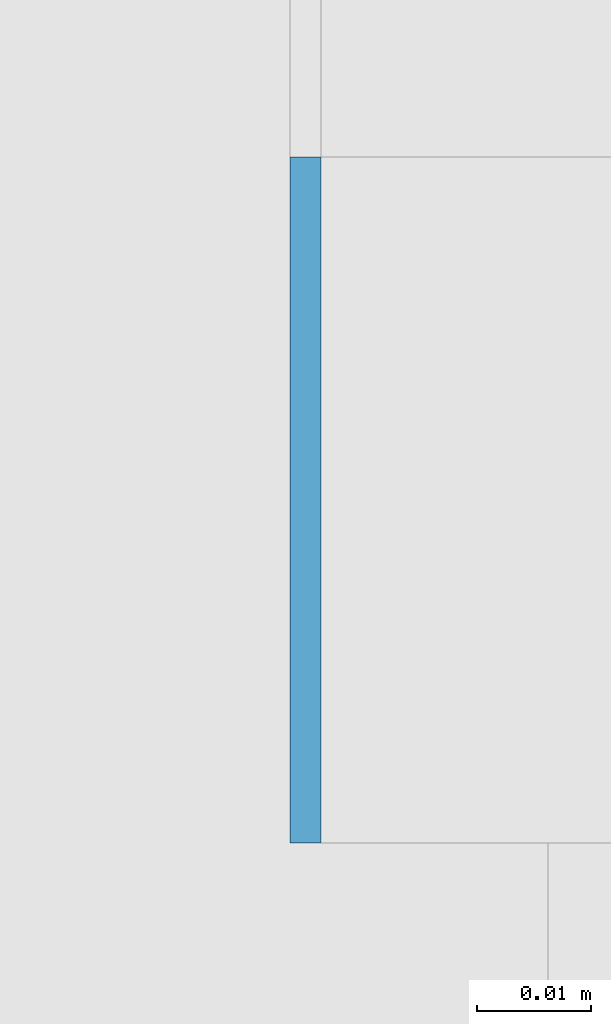
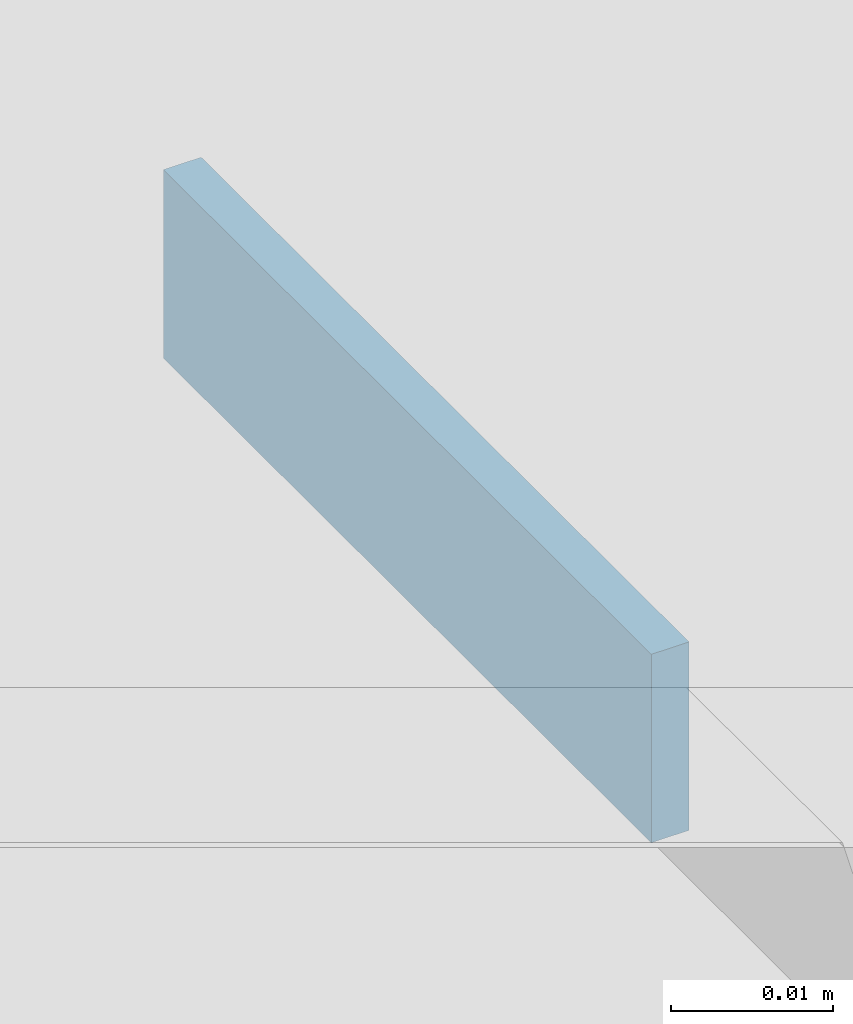
# One storey, part 475 of 646: 1 discrete accessory.
"""IFC4 building model written with IfcOpenShell, lengths in metres."""

from ifc_helpers import new_model, si_unit, direction, frame, origin, origin_2d, place, context, subcontext, project, spatial, rectangle, extrude, material, type_object, element, save


model = new_model("IFC4")

# Units and contexts
model_context = context("Model", 3, precision=1e-05, world=origin(), true_north=direction((0.0, 1.0)))
body_context = subcontext(model_context, "Body", "Model", "MODEL_VIEW")
ifc_project = project(units=[si_unit("LENGTHUNIT", "METRE"), si_unit("AREAUNIT", "SQUARE_METRE"), si_unit("VOLUMEUNIT", "CUBIC_METRE"), si_unit("PLANEANGLEUNIT", "RADIAN"), si_unit("MASSUNIT", "GRAM", prefix="KILO")], contexts=[model_context])

# Site, building, storey
site_placement = place(None, origin())
site = spatial("IfcSite", under=ifc_project, at=site_placement, CompositionType="ELEMENT")
building_placement = place(site_placement, origin())
building = spatial("IfcBuilding", under=site, at=building_placement, Name="Silverbay Arena", CompositionType="ELEMENT")
storey_placement = place(building_placement, frame((0.0, 0.0, 33.5)))
storey = spatial("IfcBuildingStorey", under=building, at=storey_placement, Name="L05", CompositionType="ELEMENT", Elevation=33.5)

# Discrete accessory
ifc_material = material(Name="Steel S355", Category="steel")
discrete_accessory_type = type_object("IfcDiscreteAccessoryType", Name="Steel bracket plate", PredefinedType="BRACKET", material=ifc_material)
discrete_accessory_placement = place(storey_placement, frame((207.128662109375, 53.969970703125, 12.98583984375), z_axis=(0.0, 0.0, 1.0), x_axis=(1.0, 0.0, 0.0)))
element("IfcDiscreteAccessory", 1, at=discrete_accessory_placement, inside=storey, type_object=discrete_accessory_type, Name="Curtain wall packing plate", PredefinedType="BRACKET", context=body_context, shape_type="SweptSolid", body=[
    extrude(rectangle(XDim=0.002685546875, YDim=0.06005859375, at=origin_2d()), origin(), (0.0, 0.0, 1.0), 0.01416015625),
])

save(model, "model.ifc")
